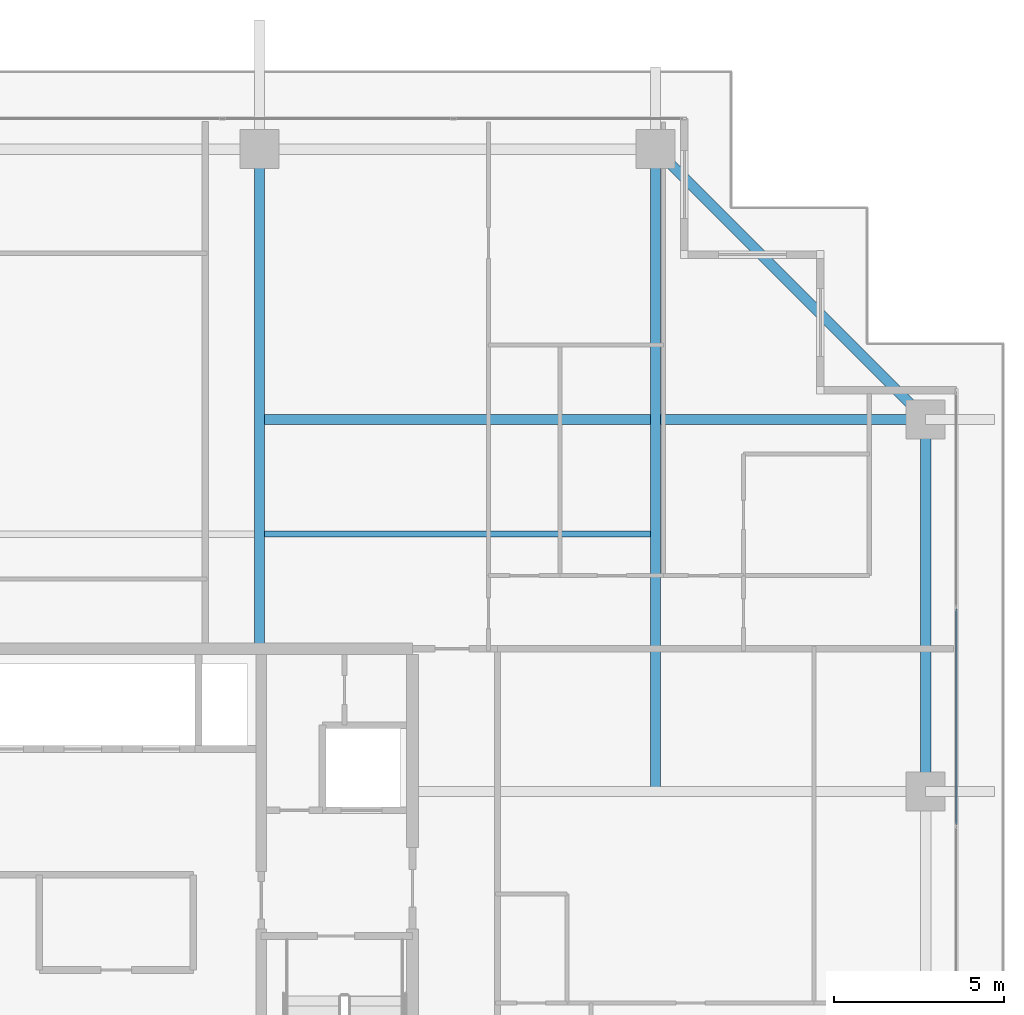
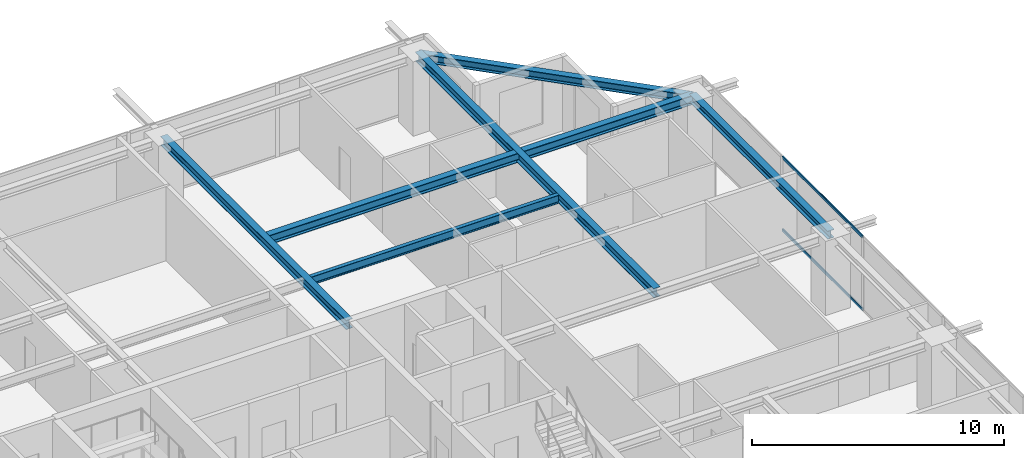
# One storey, part 20 of 37: 6 beams, 2 members, 1 element without a shape of its own.
"""IFC4 building model written with IfcOpenShell, lengths in metres."""

from ifc_helpers import new_model, si_unit, direction, frame, origin, origin_2d, place, context, subcontext, project, spatial, hollow_rectangle, i_section, extrude, source, transform, mapped, material, layer, layer_set, material_profile, profile_set, type_object, element, aggregate, save


model = new_model("IFC4")

# Units and contexts
model_context = context("Model", 3, precision=1e-05, world=origin(), true_north=direction((0.0, 1.0)))
body_context = subcontext(model_context, "Body", "Model", "MODEL_VIEW")
ifc_project = project(units=[si_unit("LENGTHUNIT", "METRE"), si_unit("AREAUNIT", "SQUARE_METRE"), si_unit("VOLUMEUNIT", "CUBIC_METRE"), si_unit("PLANEANGLEUNIT", "RADIAN"), si_unit("MASSUNIT", "GRAM", prefix="KILO")], contexts=[model_context])

# Site, building, storey
site_placement = place(None, origin())
site = spatial("IfcSite", under=ifc_project, at=site_placement, CompositionType="ELEMENT")
building_placement = place(site_placement, origin())
building = spatial("IfcBuilding", under=site, at=building_placement, Name="Serunith Strait Residences", CompositionType="ELEMENT")
storey_placement = place(building_placement, frame((0.0, 0.0, 218.14990234375)))
storey = spatial("IfcBuildingStorey", under=building, at=storey_placement, Name="L54", CompositionType="ELEMENT", Elevation=218.14990234375)

# Beams
ifc_material_1 = material(Name="Steel S355J2", Category="steel")
ifc_material_profile_1 = material_profile(ifc_material_1, i_section(OverallWidth=0.300048828125, OverallDepth=0.449951171875, WebThickness=0.013916015625, FlangeThickness=0.02587890625, FilletRadius=0.027099609375, at=origin_2d()), Name="HEB 450")
ifc_profile_set_1 = profile_set([ifc_material_profile_1], Name="Steel S355J2")
beam_type_1 = type_object("IfcBeamType", Name="BM-HEB450", PredefinedType="BEAM", material=ifc_profile_set_1)
shared_shape_1 = source(origin(), body_context, "Body", "SweptSolid", [
    extrude(i_section(OverallWidth=0.300048828125, OverallDepth=0.449951171875, WebThickness=0.013916015625, FlangeThickness=0.02587890625, FilletRadius=0.027099609375, at=origin_2d()), origin(), (0.0, 0.0, 1.0), 14.699951171875),
])
beam_1_placement = place(storey_placement, frame((36.89990234375, 33.60009765625, 3.362060546875), z_axis=(0.0, 1.0, 0.0), x_axis=(-1.0, 0.0, 0.0)))
element("IfcBeam", 1, at=beam_1_placement, inside=storey, type_object=beam_type_1, Name="L54 Primary Floor Girder TC-N3", PredefinedType="BEAM", context=body_context, shape_type="MappedRepresentation", body=[
    mapped(shared_shape_1, transform((0.0, 0.0, 0.0), scale=1.0)),
])
shared_shape_2 = source(origin(), body_context, "Body", "SweptSolid", [
    extrude(i_section(OverallWidth=0.300048828125, OverallDepth=0.449951171875, WebThickness=0.013916015625, FlangeThickness=0.02587890625, FilletRadius=0.027099609375, at=origin_2d()), origin(), (0.0, 0.0, 1.0), 18.900146484375),
])
beam_2_placement = place(storey_placement, frame((48.550048828125, 29.39990234375, 3.362060546875), z_axis=(0.0, 1.0, 0.0), x_axis=(-1.0, 0.0, 0.0)))
element("IfcBeam", 2, at=beam_2_placement, inside=storey, type_object=beam_type_1, Name="L54 Orthogonal Corner Girder TC-N4", PredefinedType="BEAM", context=body_context, shape_type="MappedRepresentation", body=[
    mapped(shared_shape_2, transform((0.0, 0.0, 0.0), scale=1.0)),
])
shared_shape_3 = source(origin(), body_context, "Body", "SweptSolid", [
    extrude(i_section(OverallWidth=0.300048828125, OverallDepth=0.449951171875, WebThickness=0.013916015625, FlangeThickness=0.02587890625, FilletRadius=0.027099609375, at=origin_2d()), origin(), (0.0, 0.0, 1.0), 19.60009765625),
])
beam_3_placement = place(storey_placement, frame((36.89990234375, 40.35009765625, 3.362060546875), z_axis=(1.0, 0.0, 0.0), x_axis=(0.0, 1.0, 0.0)))
element("IfcBeam", 3, at=beam_3_placement, inside=storey, type_object=beam_type_1, Name="L54 Orthogonal Corner Girder TC-E4", PredefinedType="BEAM", context=body_context, shape_type="MappedRepresentation", body=[
    mapped(shared_shape_3, transform((0.0, 0.0, 0.0), scale=1.0)),
])
ifc_material_profile_2 = material_profile(ifc_material_1, i_section(OverallWidth=0.300048828125, OverallDepth=0.39990234375, WebThickness=0.013427734375, FlangeThickness=0.02392578125, FilletRadius=0.027099609375, at=origin_2d()), Name="HEB 400")
ifc_profile_set_2 = profile_set([ifc_material_profile_2], Name="Steel S355J2")
beam_type_2 = type_object("IfcBeamType", Name="BM-HEB400", PredefinedType="BEAM", material=ifc_profile_set_2)
shared_shape_4 = source(origin(), body_context, "Body", "SweptSolid", [
    extrude(i_section(OverallWidth=0.300048828125, OverallDepth=0.39990234375, WebThickness=0.013427734375, FlangeThickness=0.02392578125, FilletRadius=0.027099609375, at=origin_2d()), origin(), (0.0, 0.0, 1.0), 11.242919921875),
])
beam_4_placement = place(storey_placement, frame((56.5, 40.35009765625, 3.357177734375), z_axis=(-0.707106781187, 0.707106781187, 0.0), x_axis=(-0.707106781187, -0.707106781187, 0.0)))
element("IfcBeam", 4, at=beam_4_placement, inside=storey, type_object=beam_type_2, Name="L54 Perimeter Ring Beam 08", PredefinedType="BEAM", context=body_context, shape_type="MappedRepresentation", body=[
    mapped(shared_shape_4, transform((0.0, 0.0, 0.0), scale=1.0)),
])
shared_shape_5 = source(origin(), body_context, "Body", "SweptSolid", [
    extrude(i_section(OverallWidth=0.300048828125, OverallDepth=0.39990234375, WebThickness=0.013427734375, FlangeThickness=0.02392578125, FilletRadius=0.027099609375, at=origin_2d()), origin(), (0.0, 0.0, 1.0), 10.9501953125),
])
beam_5_placement = place(storey_placement, frame((56.5, 29.39990234375, 3.38720703125), z_axis=(0.0, 1.0, 0.0), x_axis=(-1.0, 0.0, 0.0)))
element("IfcBeam", 5, at=beam_5_placement, inside=storey, type_object=beam_type_2, Name="L54 Perimeter Ring Beam 07", PredefinedType="BEAM", context=body_context, shape_type="MappedRepresentation", body=[
    mapped(shared_shape_5, transform((0.0, 0.0, 0.0), scale=1.0)),
])
ifc_material_profile_3 = material_profile(ifc_material_1, i_section(OverallWidth=0.179931640625, OverallDepth=0.39990234375, WebThickness=0.008544921875, FlangeThickness=0.013427734375, FilletRadius=0.02099609375, at=origin_2d()), Name="IPE 400")
ifc_profile_set_3 = profile_set([ifc_material_profile_3], Name="Steel S355J2")
beam_type_3 = type_object("IfcBeamType", Name="BM-IPE400", PredefinedType="JOIST", material=ifc_profile_set_3)
shared_shape_6 = source(origin(), body_context, "Body", "SweptSolid", [
    extrude(i_section(OverallWidth=0.179931640625, OverallDepth=0.39990234375, WebThickness=0.008544921875, FlangeThickness=0.013427734375, FilletRadius=0.02099609375, at=origin_2d()), origin(), (0.0, 0.0, 1.0), 11.349853515625),
])
beam_6_placement = place(storey_placement, frame((37.050048828125, 36.97509765625, 3.38720703125), z_axis=(1.0, 0.0, 0.0), x_axis=(0.0, 1.0, 0.0)))
element("IfcBeam", 6, at=beam_6_placement, inside=storey, type_object=beam_type_3, Name="L54 Composite Floor Joist 06", PredefinedType="JOIST", context=body_context, shape_type="MappedRepresentation", body=[
    mapped(shared_shape_6, transform((0.0, 0.0, 0.0), scale=1.0)),
])

# Curtain wall, members
ifc_material_2 = material(Name="Pale-Champagne Anodised Aluminium", Category="aluminium")
ifc_layer = layer(ifc_material_2, 0.199951171875, Name="Pale-Champagne Anodised Aluminium")
ifc_layer_set = layer_set([ifc_layer], Name="Pale-Champagne Anodised Aluminium")
curtain_wall_type = type_object("IfcCurtainWallType", Name="CW-SYS4", PredefinedType="NOTDEFINED", material=ifc_layer_set)
curtain_wall_placement = place(storey_placement, origin())
curtain_wall = element("IfcCurtainWall", 7, at=curtain_wall_placement, inside=storey, type_object=curtain_wall_type, Name="L54 E Unitised Fritted Curtain Wall", PredefinedType="NOTDEFINED")
ifc_material_profile_4 = material_profile(ifc_material_2, hollow_rectangle(XDim=0.06005859375, YDim=0.139892578125, WallThickness=0.00341796875, InnerFilletRadius=0.00537109375, OuterFilletRadius=0.0087890625, at=origin_2d()), Name="ALU 140x60x3.5")
ifc_profile_set_4 = profile_set([ifc_material_profile_4], Name="Pale-Champagne Anodised Aluminium")
member_type = type_object("IfcMemberType", Name="CW-SYS4-TRAN", PredefinedType="USERDEFINED", material=ifc_profile_set_4)
shared_shape_7 = source(origin(), body_context, "Body", "SweptSolid", [
    extrude(hollow_rectangle(XDim=0.06005859375, YDim=0.139892578125, WallThickness=0.00341796875, InnerFilletRadius=0.00537109375, OuterFilletRadius=0.0087890625, at=origin_2d()), origin(), (0.0, 0.0, 1.0), 6.3349609375),
])
member_1_placement = place(storey_placement, frame((57.39990234375, 28.4326171875, 0.030029296875), z_axis=(0.0, 1.0, 0.0), x_axis=(-1.0, 0.0, 0.0)))
member_1 = element("IfcMember", 8, at=member_1_placement, type_object=member_type, Name="CW-4 transom 4.1", ObjectType="TRANSOM", PredefinedType="USERDEFINED", context=body_context, shape_type="MappedRepresentation", body=[
    mapped(shared_shape_7, transform((0.0, 0.0, 0.0), scale=1.0)),
])
member_2_placement = place(storey_placement, frame((57.39990234375, 28.4326171875, 3.545166015625), z_axis=(0.0, 1.0, 0.0), x_axis=(-1.0, 0.0, 0.0)))
member_2 = element("IfcMember", 9, at=member_2_placement, type_object=member_type, Name="CW-4 transom 4.2", ObjectType="TRANSOM", PredefinedType="USERDEFINED", context=body_context, shape_type="MappedRepresentation", body=[
    mapped(shared_shape_7, transform((0.0, 0.0, 0.0), scale=1.0)),
])
aggregate(curtain_wall, [member_1, member_2])

save(model, "model.ifc")
